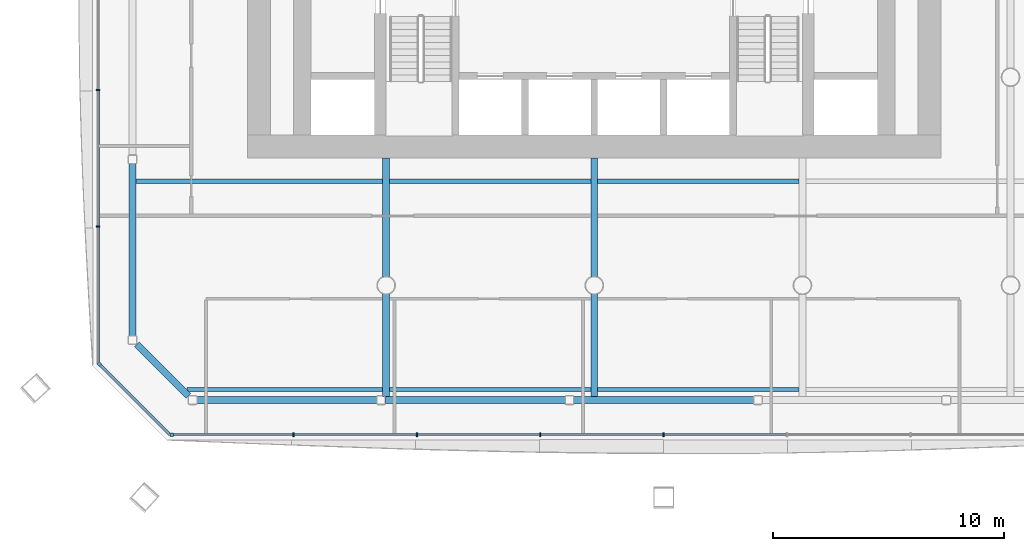
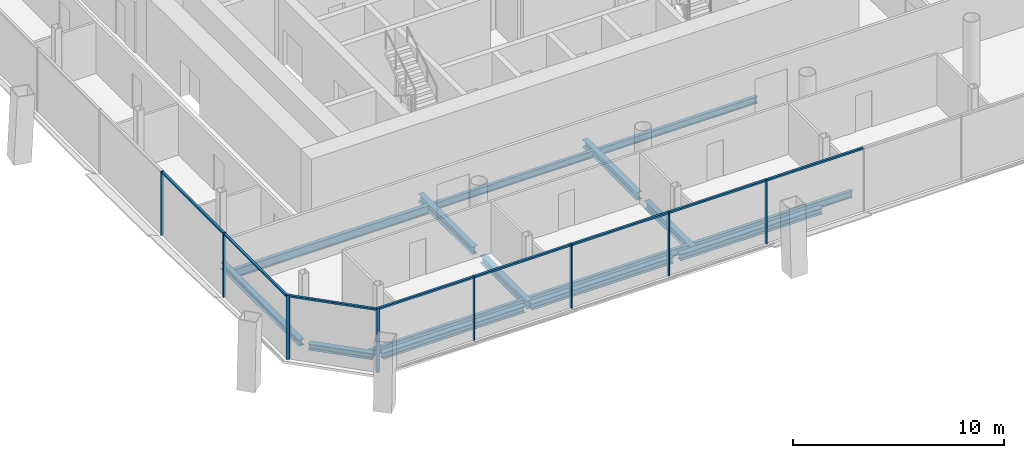
# One storey, part 3 of 19: 16 members, 15 beams, 3 elements without a shape of their own.
"""IFC4 building model written with IfcOpenShell, lengths in metres."""

from ifc_helpers import new_model, si_unit, direction, frame, origin, origin_2d, place, context, subcontext, project, spatial, rectangle, i_section, extrude, material, material_profile, profile_set, type_object, element, aggregate, save


model = new_model("IFC4")

# Units and contexts
model_context = context("Model", 3, precision=1e-05, world=origin(), true_north=direction((0.0, 1.0)))
body_context = subcontext(model_context, "Body", "Model", "MODEL_VIEW")
ifc_project = project(units=[si_unit("LENGTHUNIT", "METRE"), si_unit("AREAUNIT", "SQUARE_METRE"), si_unit("VOLUMEUNIT", "CUBIC_METRE"), si_unit("PLANEANGLEUNIT", "RADIAN"), si_unit("MASSUNIT", "GRAM", prefix="KILO")], contexts=[model_context])

# Site, building, storey
site_placement = place(None, origin())
site = spatial("IfcSite", under=ifc_project, at=site_placement, CompositionType="ELEMENT")
building_placement = place(site_placement, origin())
building = spatial("IfcBuilding", under=site, at=building_placement, Name="Tskaro Facet Tower", CompositionType="ELEMENT")
storey_placement = place(building_placement, frame((0.0, 0.0, 93.300048828125)))
storey = spatial("IfcBuildingStorey", under=building, at=storey_placement, Name="L22", CompositionType="ELEMENT", Elevation=93.300048828125)

# Curtain wall, member
ifc_material_1 = material(Name="Bronze anodised aluminium 6063-T6", Category="aluminium")
curtain_wall_type = type_object("IfcCurtainWallType", Name="Bronze office curtain wall (FW1)", PredefinedType="NOTDEFINED", material=ifc_material_1)
curtain_wall_1_placement = place(storey_placement, origin())
curtain_wall_1 = element("IfcCurtainWall", 1, at=curtain_wall_1_placement, inside=storey, type_object=curtain_wall_type, Name="FW1 south facet L22", PredefinedType="NOTDEFINED")
ifc_material_profile_1 = material_profile(ifc_material_1, rectangle(XDim=0.159912109375, YDim=0.159912109375, at=origin_2d()), Name="Corner post 160x160")
ifc_profile_set_1 = profile_set([ifc_material_profile_1], Name="Bronze anodised aluminium 6063-T6")
member_type_1 = type_object("IfcMemberType", Name="FW1 bronze corner post 160x160", PredefinedType="MULLION", material=ifc_profile_set_1)
member_1_placement = place(storey_placement, frame((-18.26806640625, -24.462890625, 0.0), z_axis=(0.0, 0.0, 1.0), x_axis=(1.0, 0.0, 0.0)))
member_1 = element("IfcMember", 2, at=member_1_placement, type_object=member_type_1, Name="FW1 south corner post", PredefinedType="MULLION", context=body_context, shape_type="SweptSolid", body=[
    extrude(rectangle(XDim=0.159912109375, YDim=0.159912109375, at=origin_2d()), origin(), (0.0, 0.0, 1.0), 3.699951171875),
])

curtain_wall_2_placement = place(storey_placement, origin())
curtain_wall_2 = element("IfcCurtainWall", 3, at=curtain_wall_2_placement, inside=storey, type_object=curtain_wall_type, Name="FW1 south-west facet L22", PredefinedType="NOTDEFINED")
member_2_placement = place(storey_placement, frame((-21.406494140625, -21.404541015625, 0.0), z_axis=(0.0, 0.0, 1.0), x_axis=(0.707106781187, -0.707106781187, 0.0)))
member_2 = element("IfcMember", 4, at=member_2_placement, type_object=member_type_1, Name="FW1 south-west corner post", PredefinedType="MULLION", context=body_context, shape_type="SweptSolid", body=[
    extrude(rectangle(XDim=0.159912109375, YDim=0.159912109375, at=origin_2d()), origin(), (0.0, 0.0, 1.0), 3.699951171875),
])

# Member
ifc_material_profile_2 = material_profile(ifc_material_1, rectangle(XDim=0.06005859375, YDim=0.159912109375, at=origin_2d()), Name="Mullion 60x160")
ifc_profile_set_2 = profile_set([ifc_material_profile_2], Name="Bronze anodised aluminium 6063-T6")
member_type_2 = type_object("IfcMemberType", Name="FW1 bronze mullion 60x160", PredefinedType="MULLION", material=ifc_profile_set_2)
member_3_placement = place(storey_placement, frame((-13.010986328125, -24.462890625, 0.0), z_axis=(0.0, 0.0, 1.0), x_axis=(1.0, 0.0, 0.0)))
member_3 = element("IfcMember", 5, at=member_3_placement, type_object=member_type_2, Name="FW1 south mullion 1", PredefinedType="MULLION", context=body_context, shape_type="SweptSolid", body=[
    extrude(rectangle(XDim=0.06005859375, YDim=0.159912109375, at=origin_2d()), origin(), (0.0, 0.0, 1.0), 3.699951171875),
])

member_4_placement = place(storey_placement, frame((-7.674072265625, -24.462890625, 0.0), z_axis=(0.0, 0.0, 1.0), x_axis=(1.0, 0.0, 0.0)))
member_4 = element("IfcMember", 6, at=member_4_placement, type_object=member_type_2, Name="FW1 south mullion 2", PredefinedType="MULLION", context=body_context, shape_type="SweptSolid", body=[
    extrude(rectangle(XDim=0.06005859375, YDim=0.159912109375, at=origin_2d()), origin(), (0.0, 0.0, 1.0), 3.699951171875),
])

member_5_placement = place(storey_placement, frame((-2.3369140625, -24.462890625, 0.0), z_axis=(0.0, 0.0, 1.0), x_axis=(1.0, 0.0, 0.0)))
member_5 = element("IfcMember", 7, at=member_5_placement, type_object=member_type_2, Name="FW1 south mullion 3", PredefinedType="MULLION", context=body_context, shape_type="SweptSolid", body=[
    extrude(rectangle(XDim=0.06005859375, YDim=0.159912109375, at=origin_2d()), origin(), (0.0, 0.0, 1.0), 3.699951171875),
])

member_6_placement = place(storey_placement, frame((3.0, -24.462890625, 0.0), z_axis=(0.0, 0.0, 1.0), x_axis=(1.0, 0.0, 0.0)))
member_6 = element("IfcMember", 8, at=member_6_placement, type_object=member_type_2, Name="FW1 south mullion 4", PredefinedType="MULLION", context=body_context, shape_type="SweptSolid", body=[
    extrude(rectangle(XDim=0.06005859375, YDim=0.159912109375, at=origin_2d()), origin(), (0.0, 0.0, 1.0), 3.699951171875),
])

# Curtain wall, members
curtain_wall_3_placement = place(storey_placement, origin())
curtain_wall_3 = element("IfcCurtainWall", 9, at=curtain_wall_3_placement, inside=storey, type_object=curtain_wall_type, Name="FW1 west facet L22", PredefinedType="NOTDEFINED")
member_7_placement = place(storey_placement, frame((-21.462890625, -9.55908203125, 0.0), z_axis=(0.0, 0.0, 1.0), x_axis=(0.0, -1.0, 0.0)))
member_7 = element("IfcMember", 10, at=member_7_placement, type_object=member_type_2, Name="FW1 west mullion 5", PredefinedType="MULLION", context=body_context, shape_type="SweptSolid", body=[
    extrude(rectangle(XDim=0.06005859375, YDim=0.159912109375, at=origin_2d()), origin(), (0.0, 0.0, 1.0), 3.699951171875),
])
member_8_placement = place(storey_placement, frame((-21.462890625, -15.45361328125, 0.0), z_axis=(0.0, 0.0, 1.0), x_axis=(0.0, -1.0, 0.0)))
member_8 = element("IfcMember", 11, at=member_8_placement, type_object=member_type_2, Name="FW1 west mullion 6", PredefinedType="MULLION", context=body_context, shape_type="SweptSolid", body=[
    extrude(rectangle(XDim=0.06005859375, YDim=0.159912109375, at=origin_2d()), origin(), (0.0, 0.0, 1.0), 3.699951171875),
])

# Member
ifc_material_profile_3 = material_profile(ifc_material_1, rectangle(XDim=0.1201171875, YDim=0.10009765625, at=origin_2d()), Name="Transom 120x100")
ifc_profile_set_3 = profile_set([ifc_material_profile_3], Name="Bronze anodised aluminium 6063-T6")
member_type_3 = type_object("IfcMemberType", Name="FW1 bronze transom 120x100", PredefinedType="USERDEFINED", material=ifc_profile_set_3)
member_9_placement = place(storey_placement, frame((-18.18798828125, -24.462890625, 3.64990234375), z_axis=(1.0, 0.0, 0.0), x_axis=(0.0, 1.0, 0.0)))
member_9 = element("IfcMember", 12, at=member_9_placement, type_object=member_type_3, Name="FW1 south transom 1.1", ObjectType="TRANSOM", PredefinedType="USERDEFINED", context=body_context, shape_type="SweptSolid", body=[
    extrude(rectangle(XDim=0.1201171875, YDim=0.10009765625, at=origin_2d()), origin(), (0.0, 0.0, 1.0), 5.14697265625),
])

member_10_placement = place(storey_placement, frame((-12.98095703125, -24.462890625, 3.64990234375), z_axis=(1.0, 0.0, 0.0), x_axis=(0.0, 1.0, 0.0)))
member_10 = element("IfcMember", 13, at=member_10_placement, type_object=member_type_3, Name="FW1 south transom 2.1", ObjectType="TRANSOM", PredefinedType="USERDEFINED", context=body_context, shape_type="SweptSolid", body=[
    extrude(rectangle(XDim=0.1201171875, YDim=0.10009765625, at=origin_2d()), origin(), (0.0, 0.0, 1.0), 5.27685546875),
])

member_11_placement = place(storey_placement, frame((-7.64404296875, -24.462890625, 3.64990234375), z_axis=(1.0, 0.0, 0.0), x_axis=(0.0, 1.0, 0.0)))
member_11 = element("IfcMember", 14, at=member_11_placement, type_object=member_type_3, Name="FW1 south transom 3.1", ObjectType="TRANSOM", PredefinedType="USERDEFINED", context=body_context, shape_type="SweptSolid", body=[
    extrude(rectangle(XDim=0.1201171875, YDim=0.10009765625, at=origin_2d()), origin(), (0.0, 0.0, 1.0), 5.277099609375),
])

member_12_placement = place(storey_placement, frame((-2.306884765625, -24.462890625, 3.64990234375), z_axis=(1.0, 0.0, 0.0), x_axis=(0.0, 1.0, 0.0)))
member_12 = element("IfcMember", 15, at=member_12_placement, type_object=member_type_3, Name="FW1 south transom 4.1", ObjectType="TRANSOM", PredefinedType="USERDEFINED", context=body_context, shape_type="SweptSolid", body=[
    extrude(rectangle(XDim=0.1201171875, YDim=0.10009765625, at=origin_2d()), origin(), (0.0, 0.0, 1.0), 5.27685546875),
])

member_13_placement = place(storey_placement, frame((3.030029296875, -24.462890625, 3.64990234375), z_axis=(1.0, 0.0, 0.0), x_axis=(0.0, 1.0, 0.0)))
member_13 = element("IfcMember", 16, at=member_13_placement, type_object=member_type_3, Name="FW1 south transom 5.1", ObjectType="TRANSOM", PredefinedType="USERDEFINED", context=body_context, shape_type="SweptSolid", body=[
    extrude(rectangle(XDim=0.1201171875, YDim=0.10009765625, at=origin_2d()), origin(), (0.0, 0.0, 1.0), 5.27685546875),
])

aggregate(curtain_wall_1, [member_1, member_3, member_4, member_5, member_6, member_9, member_10, member_11, member_12, member_13])

member_14_placement = place(storey_placement, frame((-21.462890625, -9.589111328125, 3.64990234375), z_axis=(0.0, -1.0, 0.0), x_axis=(1.0, 0.0, 0.0)))
member_14 = element("IfcMember", 17, at=member_14_placement, type_object=member_type_3, Name="FW1 west transom 6.1", ObjectType="TRANSOM", PredefinedType="USERDEFINED", context=body_context, shape_type="SweptSolid", body=[
    extrude(rectangle(XDim=0.1201171875, YDim=0.10009765625, at=origin_2d()), origin(), (0.0, 0.0, 1.0), 5.83447265625),
])

member_15_placement = place(storey_placement, frame((-21.462890625, -15.483642578125, 3.64990234375), z_axis=(0.0, -1.0, 0.0), x_axis=(1.0, 0.0, 0.0)))
member_15 = element("IfcMember", 18, at=member_15_placement, type_object=member_type_3, Name="FW1 west transom 7.1", ObjectType="TRANSOM", PredefinedType="USERDEFINED", context=body_context, shape_type="SweptSolid", body=[
    extrude(rectangle(XDim=0.1201171875, YDim=0.10009765625, at=origin_2d()), origin(), (0.0, 0.0, 1.0), 5.8642578125),
])

aggregate(curtain_wall_3, [member_7, member_8, member_14, member_15])

member_16_placement = place(storey_placement, frame((-21.349853515625, -21.461181640625, 3.64990234375), z_axis=(0.7071355353, -0.707078025904, 0.0), x_axis=(0.707078025904, 0.7071355353, 0.0)))
member_16 = element("IfcMember", 19, at=member_16_placement, type_object=member_type_3, Name="FW1 south-west transom 1.1", ObjectType="TRANSOM", PredefinedType="USERDEFINED", context=body_context, shape_type="SweptSolid", body=[
    extrude(rectangle(XDim=0.1201171875, YDim=0.10009765625, at=origin_2d()), origin(), (0.0, 0.0, 1.0), 4.2451171875),
])

aggregate(curtain_wall_2, [member_2, member_16])

# Beams
ifc_material_2 = material(Name="Steel S355J2", Category="steel")
ifc_material_profile_4 = material_profile(ifc_material_2, i_section(OverallWidth=0.300048828125, OverallDepth=0.360107421875, WebThickness=0.012451171875, FlangeThickness=0.0224609375, FilletRadius=0.027099609375, at=origin_2d()), Name="HE 360 B")
ifc_profile_set_4 = profile_set([ifc_material_profile_4], Name="Steel S355J2")
beam_type_1 = type_object("IfcBeamType", Name="HE 360 B ring beam", PredefinedType="BEAM", material=ifc_profile_set_4)
beam_1_placement = place(storey_placement, frame((-17.18408203125, -22.965087890625, -0.320068359375), z_axis=(1.0, 0.0, 0.0), x_axis=(0.0, 1.0, 0.0)))
element("IfcBeam", 20, at=beam_1_placement, inside=storey, type_object=beam_type_1, Name="HE 360 B EB1-2", PredefinedType="BEAM", context=body_context, shape_type="SweptSolid", body=[
    extrude(i_section(OverallWidth=0.300048828125, OverallDepth=0.360107421875, WebThickness=0.012451171875, FlangeThickness=0.0224609375, FilletRadius=0.027099609375, at=origin_2d()), origin(), (0.0, 0.0, 1.0), 7.7861328125),
])
beam_2_placement = place(storey_placement, frame((-9.0380859375, -22.965087890625, -0.320068359375), z_axis=(1.0, 0.0, 0.0), x_axis=(0.0, 1.0, 0.0)))
element("IfcBeam", 21, at=beam_2_placement, inside=storey, type_object=beam_type_1, Name="HE 360 B EB2-2", PredefinedType="BEAM", context=body_context, shape_type="SweptSolid", body=[
    extrude(i_section(OverallWidth=0.300048828125, OverallDepth=0.360107421875, WebThickness=0.012451171875, FlangeThickness=0.0224609375, FilletRadius=0.027099609375, at=origin_2d()), origin(), (0.0, 0.0, 1.0), 7.78515625),
])
beam_3_placement = place(storey_placement, frame((-0.89306640625, -22.965087890625, -0.320068359375), z_axis=(1.0, 0.0, 0.0), x_axis=(0.0, 1.0, 0.0)))
element("IfcBeam", 22, at=beam_3_placement, inside=storey, type_object=beam_type_1, Name="HE 360 B EB3-2", PredefinedType="BEAM", context=body_context, shape_type="SweptSolid", body=[
    extrude(i_section(OverallWidth=0.300048828125, OverallDepth=0.360107421875, WebThickness=0.012451171875, FlangeThickness=0.0224609375, FilletRadius=0.027099609375, at=origin_2d()), origin(), (0.0, 0.0, 1.0), 7.7861328125),
])
beam_4_placement = place(storey_placement, frame((-19.965087890625, -12.73291015625, -0.320068359375), z_axis=(0.0, -1.0, 0.0), x_axis=(1.0, 0.0, 0.0)))
element("IfcBeam", 23, at=beam_4_placement, inside=storey, type_object=beam_type_1, Name="HE 360 B EB23-2", PredefinedType="BEAM", context=body_context, shape_type="SweptSolid", body=[
    extrude(i_section(OverallWidth=0.300048828125, OverallDepth=0.360107421875, WebThickness=0.012451171875, FlangeThickness=0.0224609375, FilletRadius=0.027099609375, at=origin_2d()), origin(), (0.0, 0.0, 1.0), 7.451171875),
])
beam_5_placement = place(storey_placement, frame((-19.779052734375, -20.5498046875, -0.320068359375), z_axis=(0.707106781187, -0.707106781187, 0.0), x_axis=(0.707106781187, 0.707106781187, 0.0)))
element("IfcBeam", 24, at=beam_5_placement, inside=storey, type_object=beam_type_1, Name="HE 360 B EB24-2", PredefinedType="BEAM", context=body_context, shape_type="SweptSolid", body=[
    extrude(i_section(OverallWidth=0.300048828125, OverallDepth=0.360107421875, WebThickness=0.012451171875, FlangeThickness=0.0224609375, FilletRadius=0.027099609375, at=origin_2d()), origin(), (0.0, 0.0, 1.0), 3.152587890625),
])
ifc_material_profile_5 = material_profile(ifc_material_2, i_section(OverallWidth=0.300048828125, OverallDepth=0.43994140625, WebThickness=0.011474609375, FlangeThickness=0.02099609375, FilletRadius=0.027099609375, at=origin_2d()), Name="HE 450 A")
ifc_profile_set_5 = profile_set([ifc_material_profile_5], Name="Steel S355J2")
beam_type_2 = type_object("IfcBeamType", Name="HE 450 A girder", PredefinedType="BEAM", material=ifc_profile_set_5)
beam_6_placement = place(storey_placement, frame((-9.0, -22.81494140625, -0.360107421875), z_axis=(0.0, 1.0, 0.0), x_axis=(-1.0, 0.0, 0.0)))
element("IfcBeam", 25, at=beam_6_placement, inside=storey, type_object=beam_type_2, Name="HE 450 A GB3-1-2", PredefinedType="BEAM", context=body_context, shape_type="SweptSolid", body=[
    extrude(i_section(OverallWidth=0.300048828125, OverallDepth=0.43994140625, WebThickness=0.011474609375, FlangeThickness=0.02099609375, FilletRadius=0.027099609375, at=origin_2d()), origin(), (0.0, 0.0, 1.0), 4.4384765625),
])
beam_7_placement = place(storey_placement, frame((-9.0, -17.62353515625, -0.360107421875), z_axis=(0.0, 1.0, 0.0), x_axis=(-1.0, 0.0, 0.0)))
element("IfcBeam", 26, at=beam_7_placement, inside=storey, type_object=beam_type_2, Name="HE 450 A GB3-2-2", PredefinedType="BEAM", context=body_context, shape_type="SweptSolid", body=[
    extrude(i_section(OverallWidth=0.300048828125, OverallDepth=0.43994140625, WebThickness=0.011474609375, FlangeThickness=0.02099609375, FilletRadius=0.027099609375, at=origin_2d()), origin(), (0.0, 0.0, 1.0), 5.12353515625),
])
beam_8_placement = place(storey_placement, frame((0.0, -22.81494140625, -0.360107421875), z_axis=(0.0, 1.0, 0.0), x_axis=(-1.0, 0.0, 0.0)))
element("IfcBeam", 27, at=beam_8_placement, inside=storey, type_object=beam_type_2, Name="HE 450 A GB4-1-2", PredefinedType="BEAM", context=body_context, shape_type="SweptSolid", body=[
    extrude(i_section(OverallWidth=0.300048828125, OverallDepth=0.43994140625, WebThickness=0.011474609375, FlangeThickness=0.02099609375, FilletRadius=0.027099609375, at=origin_2d()), origin(), (0.0, 0.0, 1.0), 4.4384765625),
])
beam_9_placement = place(storey_placement, frame((0.0, -17.62353515625, -0.360107421875), z_axis=(0.0, 1.0, 0.0), x_axis=(-1.0, 0.0, 0.0)))
element("IfcBeam", 28, at=beam_9_placement, inside=storey, type_object=beam_type_2, Name="HE 450 A GB4-2-2", PredefinedType="BEAM", context=body_context, shape_type="SweptSolid", body=[
    extrude(i_section(OverallWidth=0.300048828125, OverallDepth=0.43994140625, WebThickness=0.011474609375, FlangeThickness=0.02099609375, FilletRadius=0.027099609375, at=origin_2d()), origin(), (0.0, 0.0, 1.0), 5.12353515625),
])
ifc_material_profile_6 = material_profile(ifc_material_2, i_section(OverallWidth=0.179931640625, OverallDepth=0.39990234375, WebThickness=0.008544921875, FlangeThickness=0.013427734375, FilletRadius=0.02099609375, at=origin_2d()), Name="IPE 400")
ifc_profile_set_6 = profile_set([ifc_material_profile_6], Name="Steel S355J2")
beam_type_3 = type_object("IfcBeamType", Name="IPE 400 secondary beam", PredefinedType="BEAM", material=ifc_profile_set_6)
beam_10_placement = place(storey_placement, frame((-17.616943359375, -22.5, -0.340087890625), z_axis=(1.0, 0.0, 0.0), x_axis=(0.0, 1.0, 0.0)))
element("IfcBeam", 29, at=beam_10_placement, inside=storey, type_object=beam_type_3, Name="IPE 400 SB1a-1-2", PredefinedType="BEAM", context=body_context, shape_type="SweptSolid", body=[
    extrude(i_section(OverallWidth=0.179931640625, OverallDepth=0.39990234375, WebThickness=0.008544921875, FlangeThickness=0.013427734375, FilletRadius=0.02099609375, at=origin_2d()), origin(), (0.0, 0.0, 1.0), 8.467041015625),
])
for number, where, z_axis, x_axis, name in (
    (30, (-8.85009765625, -22.5, -0.340087890625), (1.0, 0.0, 0.0), (0.0, 1.0, 0.0), "IPE 400 SB1a-2-2"),
    (31, (0.14990234375, -22.5, -0.340087890625), (1.0, 0.0, 0.0), (0.0, 1.0, 0.0), "IPE 400 SB1a-3-2"),
    (32, (-8.85009765625, -13.5, -0.340087890625), (1.0, 0.0, 0.0), (0.0, 1.0, 0.0), "IPE 400 SB2a-2-2"),
    (33, (0.14990234375, -13.5, -0.340087890625), (1.0, 0.0, 0.0), (0.0, 1.0, 0.0), "IPE 400 SB2a-3-2"),
):
    element("IfcBeam", number, at=place(storey_placement, frame(where, z_axis=z_axis, x_axis=x_axis)), inside=storey, type_object=beam_type_3, Name=name, PredefinedType="BEAM", context=body_context, shape_type="SweptSolid", body=[
        extrude(i_section(OverallWidth=0.179931640625, OverallDepth=0.39990234375, WebThickness=0.008544921875, FlangeThickness=0.013427734375, FilletRadius=0.02099609375, at=origin_2d()), origin(), (0.0, 0.0, 1.0), 8.7001953125),
    ])
ifc_material_profile_7 = material_profile(ifc_material_2, i_section(OverallWidth=0.199951171875, OverallDepth=0.5, WebThickness=0.01025390625, FlangeThickness=0.01611328125, FilletRadius=0.02099609375, at=origin_2d()), Name="IPE 500")
ifc_profile_set_7 = profile_set([ifc_material_profile_7], Name="Steel S355J2")
beam_type_4 = type_object("IfcBeamType", Name="IPE 500 long secondary beam", PredefinedType="BEAM", material=ifc_profile_set_7)
beam_11_placement = place(storey_placement, frame((-19.81494140625, -13.5, -0.39013671875), z_axis=(1.0, 0.0, 0.0), x_axis=(0.0, 1.0, 0.0)))
element("IfcBeam", 34, at=beam_11_placement, inside=storey, type_object=beam_type_4, Name="IPE 500 LSB2a-1-2", PredefinedType="BEAM", context=body_context, shape_type="SweptSolid", body=[
    extrude(i_section(OverallWidth=0.199951171875, OverallDepth=0.5, WebThickness=0.01025390625, FlangeThickness=0.01611328125, FilletRadius=0.02099609375, at=origin_2d()), origin(), (0.0, 0.0, 1.0), 10.6650390625),
])

save(model, "model.ifc")
